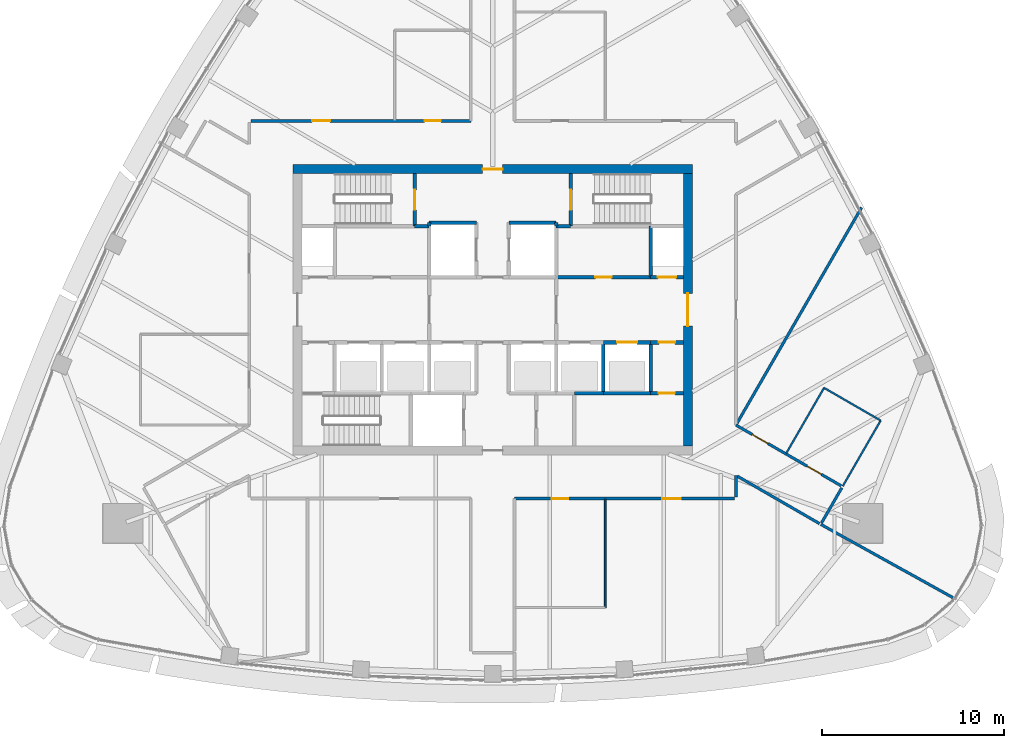
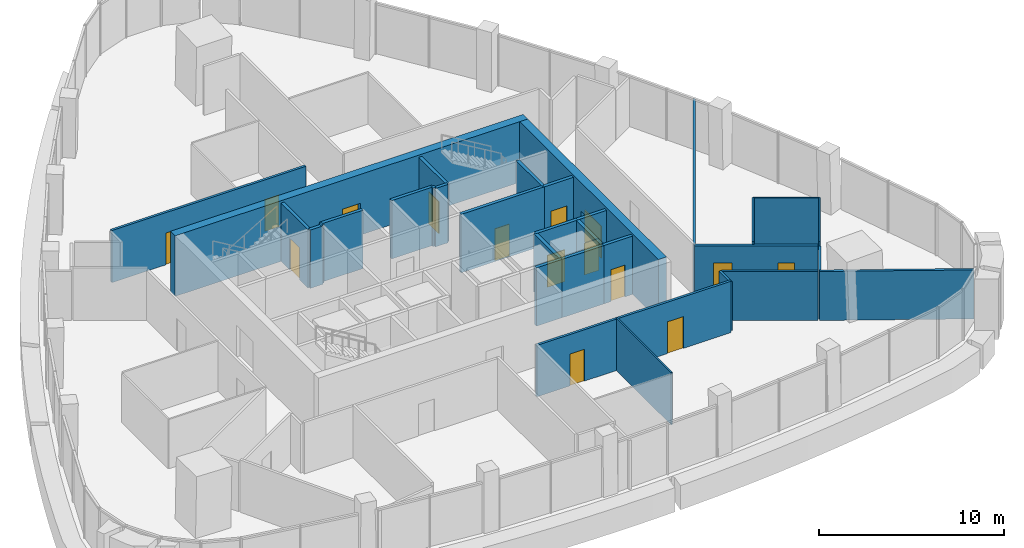
# One storey, part 10 of 15: 32 walls, 15 doors, 15 openings.
"""IFC4 building model written with IfcOpenShell, lengths in metres."""

from ifc_helpers import new_model, si_unit, direction, frame, frame_2d, origin, place, context, subcontext, project, spatial, rectangle, extrude, material, layer, layer_set, type_object, element, fill, save


model = new_model("IFC4")

# Units and contexts
model_context = context("Model", 3, precision=1e-05, world=origin(), true_north=direction((0.0, 1.0)))
body_context = subcontext(model_context, "Body", "Model", "MODEL_VIEW")
ifc_project = project(units=[si_unit("LENGTHUNIT", "METRE"), si_unit("AREAUNIT", "SQUARE_METRE"), si_unit("VOLUMEUNIT", "CUBIC_METRE"), si_unit("PLANEANGLEUNIT", "RADIAN"), si_unit("MASSUNIT", "GRAM", prefix="KILO")], contexts=[model_context])

# Site, building, storey
site_placement = place(None, origin())
site = spatial("IfcSite", under=ifc_project, at=site_placement, CompositionType="ELEMENT")
building_placement = place(site_placement, origin())
building = spatial("IfcBuilding", under=site, at=building_placement, Name="Sierra Prisma Convention Tower", CompositionType="ELEMENT")
storey_placement = place(building_placement, frame((0.0, 0.0, 299.0)))
storey = spatial("IfcBuildingStorey", under=building, at=storey_placement, Name="L68", CompositionType="ELEMENT", Elevation=299.0)

# Walls
ifc_material_1 = material(Name="Gypsum board partition", Category="gypsum")
ifc_layer_1 = layer(ifc_material_1, 0.10009765625)
ifc_layer_set_1 = layer_set([ifc_layer_1], Name="Bathroom partition 100")
wall_type_1 = type_object("IfcWallType", Name="Bathroom partition 100", PredefinedType="PARTITIONING", material=ifc_layer_set_1)
wall_1_placement = place(storey_placement, frame((6.199951171875, -10.429931640625, 0.0), z_axis=(0.0, 0.0, 1.0), x_axis=(0.0, -1.0, 0.0)))
element("IfcWall", 1, at=wall_1_placement, inside=storey, type_object=wall_type_1, Name="Partition L68 bath 6", PredefinedType="PARTITIONING", context=body_context, shape_type="SweptSolid", body=[
    extrude(rectangle(XDim=5.969970703125, YDim=0.10009765625, at=frame_2d((2.98486328125, 0.0))), origin(), (0.0, 0.0, 1.0), 3.449951171875),
])
wall_2_placement = place(storey_placement, frame((16.165283203125, -7.912841796875, 0.0), z_axis=(0.0, 0.0, 1.0), x_axis=(0.500036655653, 0.866004239599, 0.0)))
element("IfcWall", 2, at=wall_2_placement, inside=storey, type_object=wall_type_1, Name="Partition L68 bath 10", PredefinedType="PARTITIONING", context=body_context, shape_type="SweptSolid", body=[
    extrude(rectangle(XDim=4.170166015625, YDim=0.10009765625, at=frame_2d((2.0849609375, 0.0))), origin(), (0.0, 0.0, 1.0), 3.449951171875),
])
wall_3_placement = place(storey_placement, frame((18.25048828125, -4.301513671875, 0.0), z_axis=(0.0, 0.0, 1.0), x_axis=(0.866018442252, -0.500012057535, 0.0)))
element("IfcWall", 3, at=wall_3_placement, inside=storey, type_object=wall_type_1, Name="Partition L68 bath 11", PredefinedType="PARTITIONING", context=body_context, shape_type="SweptSolid", body=[
    extrude(rectangle(XDim=3.60009765625, YDim=0.10009765625, at=frame_2d((1.800048828125, 0.0))), origin(), (0.0, 0.0, 1.0), 3.443115234375),
])
wall_4_placement = place(storey_placement, frame((21.3681640625, -6.1015625, 0.0), z_axis=(0.0, 0.0, 1.0), x_axis=(-0.499992746786, -0.866029591389, 0.0)))
element("IfcWall", 4, at=wall_4_placement, inside=storey, type_object=wall_type_1, Name="Partition L68 bath 12", PredefinedType="PARTITIONING", context=body_context, shape_type="SweptSolid", body=[
    extrude(rectangle(XDim=4.169921875, YDim=0.10009765625, at=frame_2d((2.0849609375, 0.0))), origin(), (0.0, 0.0, 1.0), 3.449951171875),
])
ifc_material_2 = material(Name="Concrete C30/37", Category="concrete")
ifc_layer_2 = layer(ifc_material_2, 0.199951171875)
ifc_layer_set_2 = layer_set([ifc_layer_2], Name="Core wall RC 200 C30/37")
wall_type_2 = type_object("IfcWallType", Name="Core wall RC 200 C30/37", PredefinedType="SOLIDWALL", material=ifc_layer_set_2)
wall_5_placement = place(storey_placement, frame((-3.5, 4.60009765625, 0.0), z_axis=(0.0, 0.0, 1.0), x_axis=(-1.0, 0.0, 0.0)))
element("IfcWall", 5, at=wall_5_placement, inside=storey, type_object=wall_type_2, Name="Core wall L68 16", PredefinedType="SOLIDWALL", context=body_context, shape_type="SweptSolid", body=[
    extrude(rectangle(XDim=0.800048828125, YDim=0.199951171875, at=frame_2d((0.39990234375, 0.0))), origin(), (0.0, 0.0, 1.0), 3.85009765625),
])

# Wall, opening, door
wall_6_placement = place(storey_placement, frame((-4.300048828125, 4.60009765625, 0.0), z_axis=(0.0, 0.0, 1.0), x_axis=(0.0, 1.0, 0.0)))
wall_6 = element("IfcWall", 6, at=wall_6_placement, inside=storey, type_object=wall_type_2, Name="Core wall L68 17", PredefinedType="SOLIDWALL", context=body_context, shape_type="SweptSolid", body=[
    extrude(rectangle(XDim=2.89990234375, YDim=0.199951171875, at=frame_2d((1.449951171875, 0.0))), origin(), (0.0, 0.0, 1.0), 3.85009765625),
])
opening_1_placement = place(wall_6_placement, frame((0.89990234375, 0.0, 0.0)))
opening_1 = element("IfcOpeningElement", 7, at=opening_1_placement, cuts=wall_6, Name="Opening L68-D018", PredefinedType="OPENING", context=body_context, shape_type="SweptSolid", body=[
    extrude(rectangle(XDim=1.10009765625, YDim=2.10009765625, at=frame_2d((0.550048828125, 1.050048828125))), frame((0.0, 0.10009765625, 0.0), z_axis=(0.0, -1.0, 0.0), x_axis=(1.0, 0.0, 0.0)), (0.0, 0.0, 1.0), 0.199951171875),
])
ifc_material_3 = material(Name="Steel fire door leaf", Category="steel")
door_type_1 = type_object("IfcDoorType", Name="Door 1100x2100 FD90S", OperationType="SINGLE_SWING_LEFT", PredefinedType="DOOR", material=ifc_material_3)
door_1_placement = place(opening_1_placement, origin())
door_1 = element("IfcDoor", 8, at=door_1_placement, inside=storey, type_object=door_type_1, Name="Door L68 31", OperationType="SINGLE_SWING_LEFT", OverallHeight=2.10009765625, OverallWidth=1.10009765625, PredefinedType="DOOR", context=body_context, shape_type="SweptSolid", body=[
    extrude(rectangle(XDim=1.10009765625, YDim=2.10009765625, at=frame_2d((0.550048828125, 1.050048828125))), frame((0.0, 0.02490234375, 0.0), z_axis=(0.0, -1.0, 0.0), x_axis=(1.0, 0.0, 0.0)), (0.0, 0.0, 1.0), 0.050048828125),
])
fill(opening_1, door_1)

# Walls
wall_7_placement = place(storey_placement, frame((-0.89990234375, 4.800048828125, 0.0), z_axis=(0.0, 0.0, 1.0), x_axis=(-1.0, 0.0, 0.0)))
element("IfcWall", 9, at=wall_7_placement, inside=storey, type_object=wall_type_2, Name="Core wall L68 25", PredefinedType="SOLIDWALL", context=body_context, shape_type="SweptSolid", body=[
    extrude(rectangle(XDim=2.60009765625, YDim=0.199951171875, at=frame_2d((1.300048828125, 0.0))), origin(), (0.0, 0.0, 1.0), 3.85009765625),
])
for number, where, z_axis, x_axis, name in (
    (10, (-3.5, 4.800048828125, 0.0), (0.0, 0.0, 1.0), (0.0, -1.0, 0.0), "Core wall L68 26"),
    (11, (3.5, 4.60009765625, 0.0), (0.0, 0.0, 1.0), (0.0, 1.0, 0.0), "Core wall L68 36"),
):
    element("IfcWall", number, at=place(storey_placement, frame(where, z_axis=z_axis, x_axis=x_axis)), inside=storey, type_object=wall_type_2, Name=name, PredefinedType="SOLIDWALL", context=body_context, shape_type="SweptSolid", body=[
        extrude(rectangle(XDim=0.199951171875, YDim=0.199951171875, at=frame_2d((0.10009765625, 0.0))), origin(), (0.0, 0.0, 1.0), 3.85009765625),
    ])
wall_8_placement = place(storey_placement, frame((3.5, 4.800048828125, 0.0), z_axis=(0.0, 0.0, 1.0), x_axis=(-1.0, 0.0, 0.0)))
element("IfcWall", 12, at=wall_8_placement, inside=storey, type_object=wall_type_2, Name="Core wall L68 37", PredefinedType="SOLIDWALL", context=body_context, shape_type="SweptSolid", body=[
    extrude(rectangle(XDim=2.60009765625, YDim=0.199951171875, at=frame_2d((1.300048828125, 0.0))), origin(), (0.0, 0.0, 1.0), 3.85009765625),
])

# Wall, opening, door
wall_9_placement = place(storey_placement, frame((3.5, 1.800048828125, 0.0), z_axis=(0.0, 0.0, 1.0), x_axis=(1.0, 0.0, 0.0)))
wall_9 = element("IfcWall", 13, at=wall_9_placement, inside=storey, type_object=wall_type_2, Name="Core wall L68 45", PredefinedType="SOLIDWALL", context=body_context, shape_type="SweptSolid", body=[
    extrude(rectangle(XDim=5.199951171875, YDim=0.199951171875, at=frame_2d((2.60009765625, 0.0))), origin(), (0.0, 0.0, 1.0), 3.85009765625),
])
opening_2_placement = place(wall_9_placement, frame((2.14990234375, 0.0, 0.0)))
opening_2 = element("IfcOpeningElement", 14, at=opening_2_placement, cuts=wall_9, Name="Opening L68-D020", PredefinedType="OPENING", context=body_context, shape_type="SweptSolid", body=[
    extrude(rectangle(XDim=0.89990234375, YDim=2.10009765625, at=frame_2d((0.449951171875, 1.050048828125))), frame((0.0, 0.10009765625, 0.0), z_axis=(0.0, -1.0, 0.0), x_axis=(1.0, 0.0, 0.0)), (0.0, 0.0, 1.0), 0.199951171875),
])
ifc_material_4 = material(Name="Steel fire door leaf", Category="steel")
door_type_2 = type_object("IfcDoorType", Name="Door 900x2100 FD30S", OperationType="SINGLE_SWING_LEFT", PredefinedType="DOOR", material=ifc_material_4)
door_2_placement = place(opening_2_placement, origin())
door_2 = element("IfcDoor", 15, at=door_2_placement, inside=storey, type_object=door_type_2, Name="Door L68 33", OperationType="SINGLE_SWING_RIGHT", OverallHeight=2.10009765625, OverallWidth=0.89990234375, PredefinedType="DOOR", context=body_context, shape_type="SweptSolid", body=[
    extrude(rectangle(XDim=0.89990234375, YDim=2.10009765625, at=frame_2d((0.449951171875, 1.050048828125))), frame((0.0, 0.02490234375, 0.0), z_axis=(0.0, -1.0, 0.0), x_axis=(1.0, 0.0, 0.0)), (0.0, 0.0, 1.0), 0.050048828125),
])
fill(opening_2, door_2)

# Wall
wall_10_placement = place(storey_placement, frame((4.300048828125, 4.60009765625, 0.0), z_axis=(0.0, 0.0, 1.0), x_axis=(-1.0, 0.0, 0.0)))
element("IfcWall", 16, at=wall_10_placement, inside=storey, type_object=wall_type_2, Name="Core wall L68 47", PredefinedType="SOLIDWALL", context=body_context, shape_type="SweptSolid", body=[
    extrude(rectangle(XDim=0.800048828125, YDim=0.199951171875, at=frame_2d((0.39990234375, 0.0))), origin(), (0.0, 0.0, 1.0), 3.85009765625),
])

# Wall, opening, door
wall_11_placement = place(storey_placement, frame((4.300048828125, 7.5, 0.0), z_axis=(0.0, 0.0, 1.0), x_axis=(0.0, -1.0, 0.0)))
wall_11 = element("IfcWall", 17, at=wall_11_placement, inside=storey, type_object=wall_type_2, Name="Core wall L68 49", PredefinedType="SOLIDWALL", context=body_context, shape_type="SweptSolid", body=[
    extrude(rectangle(XDim=2.89990234375, YDim=0.199951171875, at=frame_2d((1.449951171875, 0.0))), origin(), (0.0, 0.0, 1.0), 3.85009765625),
])
opening_3_placement = place(wall_11_placement, frame((0.89990234375, 0.0, 0.0)))
opening_3 = element("IfcOpeningElement", 18, at=opening_3_placement, cuts=wall_11, Name="Opening L68-D019", PredefinedType="OPENING", context=body_context, shape_type="SweptSolid", body=[
    extrude(rectangle(XDim=1.10009765625, YDim=2.10009765625, at=frame_2d((0.550048828125, 1.050048828125))), frame((0.0, 0.10009765625, 0.0), z_axis=(0.0, -1.0, 0.0), x_axis=(1.0, 0.0, 0.0)), (0.0, 0.0, 1.0), 0.199951171875),
])
door_3_placement = place(opening_3_placement, origin())
door_3 = element("IfcDoor", 19, at=door_3_placement, inside=storey, type_object=door_type_1, Name="Door L68 32", OperationType="SINGLE_SWING_RIGHT", OverallHeight=2.10009765625, OverallWidth=1.10009765625, PredefinedType="DOOR", context=body_context, shape_type="SweptSolid", body=[
    extrude(rectangle(XDim=1.10009765625, YDim=2.10009765625, at=frame_2d((0.550048828125, 1.050048828125))), frame((0.0, 0.02490234375, 0.0), z_axis=(0.0, -1.0, 0.0), x_axis=(1.0, 0.0, 0.0)), (0.0, 0.0, 1.0), 0.050048828125),
])
fill(opening_3, door_3)

# Walls
wall_12_placement = place(storey_placement, frame((6.10009765625, -4.60009765625, 0.0), z_axis=(0.0, 0.0, 1.0), x_axis=(-1.0, 0.0, 0.0)))
element("IfcWall", 20, at=wall_12_placement, inside=storey, type_object=wall_type_2, Name="Core wall L68 51", PredefinedType="SOLIDWALL", context=body_context, shape_type="SweptSolid", body=[
    extrude(rectangle(XDim=1.60009765625, YDim=0.199951171875, at=frame_2d((0.800048828125, 0.0))), origin(), (0.0, 0.0, 1.0), 3.85009765625),
])
wall_13_placement = place(storey_placement, frame((8.699951171875, -4.60009765625, 0.0), z_axis=(0.0, 0.0, 1.0), x_axis=(-1.0, 0.0, 0.0)))
element("IfcWall", 21, at=wall_13_placement, inside=storey, type_object=wall_type_2, Name="Core wall L68 52", PredefinedType="SOLIDWALL", context=body_context, shape_type="SweptSolid", body=[
    extrude(rectangle(XDim=2.599853515625, YDim=0.199951171875, at=frame_2d((1.2998046875, 0.0))), origin(), (0.0, 0.0, 1.0), 3.85009765625),
])
wall_14_placement = place(storey_placement, frame((6.10009765625, -4.60009765625, 0.0), z_axis=(0.0, 0.0, 1.0), x_axis=(0.0, 1.0, 0.0)))
element("IfcWall", 22, at=wall_14_placement, inside=storey, type_object=wall_type_2, Name="Core wall L68 53", PredefinedType="SOLIDWALL", context=body_context, shape_type="SweptSolid", body=[
    extrude(rectangle(XDim=2.800048828125, YDim=0.199951171875, at=frame_2d((1.39990234375, 0.0))), origin(), (0.0, 0.0, 1.0), 3.85009765625),
])

# Wall, opening, door
wall_15_placement = place(storey_placement, frame((6.10009765625, -1.800048828125, 0.0), z_axis=(0.0, 0.0, 1.0), x_axis=(1.0, 0.0, 0.0)))
wall_15 = element("IfcWall", 23, at=wall_15_placement, inside=storey, type_object=wall_type_2, Name="Core wall L68 54", PredefinedType="SOLIDWALL", context=body_context, shape_type="SweptSolid", body=[
    extrude(rectangle(XDim=2.599853515625, YDim=0.199951171875, at=frame_2d((1.2998046875, 0.0))), origin(), (0.0, 0.0, 1.0), 3.85009765625),
])
opening_4_placement = place(wall_15_placement, frame((0.75, 0.0, 0.0)))
opening_4 = element("IfcOpeningElement", 24, at=opening_4_placement, cuts=wall_15, Name="Opening L68-D006", PredefinedType="OPENING", context=body_context, shape_type="SweptSolid", body=[
    extrude(rectangle(XDim=1.10009765625, YDim=2.10009765625, at=frame_2d((0.550048828125, 1.050048828125))), frame((0.0, 0.10009765625, 0.0), z_axis=(0.0, -1.0, 0.0), x_axis=(1.0, 0.0, 0.0)), (0.0, 0.0, 1.0), 0.199951171875),
])
ifc_material_5 = material(Name="Steel fire door leaf", Category="steel")
door_type_3 = type_object("IfcDoorType", Name="Door 1100x2100 EI 90 sliding lift landing", OperationType="SLIDING_TO_LEFT", PredefinedType="DOOR", material=ifc_material_5)
door_4_placement = place(opening_4_placement, origin())
door_4 = element("IfcDoor", 25, at=door_4_placement, inside=storey, type_object=door_type_3, Name="Door L68 19", OperationType="SLIDING_TO_LEFT", OverallHeight=2.10009765625, OverallWidth=1.10009765625, PredefinedType="DOOR", context=body_context, shape_type="SweptSolid", body=[
    extrude(rectangle(XDim=1.10009765625, YDim=2.10009765625, at=frame_2d((0.550048828125, 1.050048828125))), frame((0.0, 0.02490234375, 0.0), z_axis=(0.0, -1.0, 0.0), x_axis=(1.0, 0.0, 0.0)), (0.0, 0.0, 1.0), 0.050048828125),
])
fill(opening_4, door_4)

wall_16_placement = place(storey_placement, frame((10.5, -4.60009765625, 0.0), z_axis=(0.0, 0.0, 1.0), x_axis=(-1.0, 0.0, 0.0)))
wall_16 = element("IfcWall", 26, at=wall_16_placement, inside=storey, type_object=wall_type_2, Name="Core wall L68 55", PredefinedType="SOLIDWALL", context=body_context, shape_type="SweptSolid", body=[
    extrude(rectangle(XDim=1.800048828125, YDim=0.199951171875, at=frame_2d((0.89990234375, 0.0))), origin(), (0.0, 0.0, 1.0), 3.85009765625),
])
opening_5_placement = place(wall_16_placement, frame((0.4599609375, 0.0, 0.0)))
opening_5 = element("IfcOpeningElement", 27, at=opening_5_placement, cuts=wall_16, Name="Opening L68-D022", PredefinedType="OPENING", context=body_context, shape_type="SweptSolid", body=[
    extrude(rectangle(XDim=0.89990234375, YDim=2.10009765625, at=frame_2d((0.449951171875, 1.050048828125))), frame((0.0, 0.10009765625, 0.0), z_axis=(0.0, -1.0, 0.0), x_axis=(1.0, 0.0, 0.0)), (0.0, 0.0, 1.0), 0.199951171875),
])
door_5_placement = place(opening_5_placement, origin())
door_5 = element("IfcDoor", 28, at=door_5_placement, inside=storey, type_object=door_type_2, Name="Door L68 35", OperationType="SINGLE_SWING_RIGHT", OverallHeight=2.10009765625, OverallWidth=0.89990234375, PredefinedType="DOOR", context=body_context, shape_type="SweptSolid", body=[
    extrude(rectangle(XDim=0.89990234375, YDim=2.10009765625, at=frame_2d((0.449951171875, 1.050048828125))), frame((0.0, 0.02490234375, 0.0), z_axis=(0.0, -1.0, 0.0), x_axis=(1.0, 0.0, 0.0)), (0.0, 0.0, 1.0), 0.050048828125),
])
fill(opening_5, door_5)

# Wall
wall_17_placement = place(storey_placement, frame((8.699951171875, -1.800048828125, 0.0), z_axis=(0.0, 0.0, 1.0), x_axis=(0.0, -1.0, 0.0)))
element("IfcWall", 29, at=wall_17_placement, inside=storey, type_object=wall_type_2, Name="Core wall L68 56", PredefinedType="SOLIDWALL", context=body_context, shape_type="SweptSolid", body=[
    extrude(rectangle(XDim=2.800048828125, YDim=0.199951171875, at=frame_2d((1.39990234375, 0.0))), origin(), (0.0, 0.0, 1.0), 3.85009765625),
])

# Wall, opening, door
wall_18_placement = place(storey_placement, frame((8.699951171875, -1.800048828125, 0.0), z_axis=(0.0, 0.0, 1.0), x_axis=(1.0, 0.0, 0.0)))
wall_18 = element("IfcWall", 30, at=wall_18_placement, inside=storey, type_object=wall_type_2, Name="Core wall L68 57", PredefinedType="SOLIDWALL", context=body_context, shape_type="SweptSolid", body=[
    extrude(rectangle(XDim=1.800048828125, YDim=0.199951171875, at=frame_2d((0.89990234375, 0.0))), origin(), (0.0, 0.0, 1.0), 3.85009765625),
])
opening_6_placement = place(wall_18_placement, frame((0.449951171875, 0.0, 0.0)))
opening_6 = element("IfcOpeningElement", 31, at=opening_6_placement, cuts=wall_18, Name="Opening L68-D023", PredefinedType="OPENING", context=body_context, shape_type="SweptSolid", body=[
    extrude(rectangle(XDim=0.89990234375, YDim=2.10009765625, at=frame_2d((0.449951171875, 1.050048828125))), frame((0.0, 0.10009765625, 0.0), z_axis=(0.0, -1.0, 0.0), x_axis=(1.0, 0.0, 0.0)), (0.0, 0.0, 1.0), 0.199951171875),
])
door_6_placement = place(opening_6_placement, origin())
door_6 = element("IfcDoor", 32, at=door_6_placement, inside=storey, type_object=door_type_2, Name="Door L68 36", OperationType="SINGLE_SWING_LEFT", OverallHeight=2.10009765625, OverallWidth=0.89990234375, PredefinedType="DOOR", context=body_context, shape_type="SweptSolid", body=[
    extrude(rectangle(XDim=0.89990234375, YDim=2.10009765625, at=frame_2d((0.449951171875, 1.050048828125))), frame((0.0, 0.02490234375, 0.0), z_axis=(0.0, -1.0, 0.0), x_axis=(1.0, 0.0, 0.0)), (0.0, 0.0, 1.0), 0.050048828125),
])
fill(opening_6, door_6)

wall_19_placement = place(storey_placement, frame((10.5, 1.800048828125, 0.0), z_axis=(0.0, 0.0, 1.0), x_axis=(-1.0, 0.0, 0.0)))
wall_19 = element("IfcWall", 33, at=wall_19_placement, inside=storey, type_object=wall_type_2, Name="Core wall L68 58", PredefinedType="SOLIDWALL", context=body_context, shape_type="SweptSolid", body=[
    extrude(rectangle(XDim=1.800048828125, YDim=0.199951171875, at=frame_2d((0.89990234375, 0.0))), origin(), (0.0, 0.0, 1.0), 3.85009765625),
])
opening_7_placement = place(wall_19_placement, frame((0.39990234375, 0.0, 0.0)))
opening_7 = element("IfcOpeningElement", 34, at=opening_7_placement, cuts=wall_19, Name="Opening L68-D016", PredefinedType="OPENING", context=body_context, shape_type="SweptSolid", body=[
    extrude(rectangle(XDim=1.0, YDim=2.10009765625, at=frame_2d((0.5, 1.050048828125))), frame((0.0, 0.10009765625, 0.0), z_axis=(0.0, -1.0, 0.0), x_axis=(1.0, 0.0, 0.0)), (0.0, 0.0, 1.0), 0.199951171875),
])
ifc_material_6 = material(Name="Steel fire door leaf", Category="steel")
door_type_4 = type_object("IfcDoorType", Name="Door 1000x2100 FD60S", OperationType="SINGLE_SWING_LEFT", PredefinedType="DOOR", material=ifc_material_6)
door_7_placement = place(opening_7_placement, origin())
door_7 = element("IfcDoor", 35, at=door_7_placement, inside=storey, type_object=door_type_4, Name="Door L68 29", OperationType="SINGLE_SWING_RIGHT", OverallHeight=2.10009765625, OverallWidth=1.0, PredefinedType="DOOR", context=body_context, shape_type="SweptSolid", body=[
    extrude(rectangle(XDim=1.0, YDim=2.10009765625, at=frame_2d((0.5, 1.050048828125))), frame((0.0, 0.02490234375, 0.0), z_axis=(0.0, -1.0, 0.0), x_axis=(1.0, 0.0, 0.0)), (0.0, 0.0, 1.0), 0.050048828125),
])
fill(opening_7, door_7)

# Wall
wall_20_placement = place(storey_placement, frame((8.699951171875, 1.800048828125, 0.0), z_axis=(0.0, 0.0, 1.0), x_axis=(0.0, 1.0, 0.0)))
element("IfcWall", 36, at=wall_20_placement, inside=storey, type_object=wall_type_2, Name="Core wall L68 59", PredefinedType="SOLIDWALL", context=body_context, shape_type="SweptSolid", body=[
    extrude(rectangle(XDim=2.800048828125, YDim=0.199951171875, at=frame_2d((1.39990234375, 0.0))), origin(), (0.0, 0.0, 1.0), 3.85009765625),
])

# Wall, opening, door
ifc_material_7 = material(Name="Concrete C50/60", Category="concrete")
ifc_layer_3 = layer(ifc_material_7, 0.5)
ifc_layer_set_3 = layer_set([ifc_layer_3], Name="Core wall RC 500 C50/60")
wall_type_3 = type_object("IfcWallType", Name="Core wall RC 500 C50/60", PredefinedType="SHEAR", material=ifc_layer_set_3)
wall_21_placement = place(storey_placement, frame((-11.0, 7.75, 0.0), z_axis=(0.0, 0.0, 1.0), x_axis=(1.0, 0.0, 0.0)))
wall_21 = element("IfcWall", 37, at=wall_21_placement, inside=storey, type_object=wall_type_3, Name="Core wall N L68", PredefinedType="SHEAR", context=body_context, shape_type="SweptSolid", body=[
    extrude(rectangle(XDim=22.0, YDim=0.5, at=frame_2d((11.0, 0.0))), origin(), (0.0, 0.0, 1.0), 4.0),
])
opening_8_placement = place(wall_21_placement, frame((10.449951171875, 0.0, 0.0)))
opening_8 = element("IfcOpeningElement", 38, at=opening_8_placement, cuts=wall_21, Name="Opening L68-D039", PredefinedType="OPENING", context=body_context, shape_type="SweptSolid", body=[
    extrude(rectangle(XDim=1.10009765625, YDim=2.10009765625, at=frame_2d((0.550048828125, 1.050048828125))), frame((0.0, 0.25, 0.0), z_axis=(0.0, -1.0, 0.0), x_axis=(1.0, 0.0, 0.0)), (0.0, 0.0, 1.0), 0.5),
])
ifc_material_8 = material(Name="Steel fire door leaf", Category="steel")
door_type_5 = type_object("IfcDoorType", Name="Door 1100x2100 FD60S", OperationType="SINGLE_SWING_LEFT", PredefinedType="DOOR", material=ifc_material_8)
door_8_placement = place(opening_8_placement, origin())
door_8 = element("IfcDoor", 39, at=door_8_placement, inside=storey, type_object=door_type_5, Name="Door L68 40", OperationType="SINGLE_SWING_LEFT", OverallHeight=2.10009765625, OverallWidth=1.10009765625, PredefinedType="DOOR", context=body_context, shape_type="SweptSolid", body=[
    extrude(rectangle(XDim=1.10009765625, YDim=2.10009765625, at=frame_2d((0.550048828125, 1.050048828125))), frame((0.0, 0.02490234375, 0.0), z_axis=(0.0, -1.0, 0.0), x_axis=(1.0, 0.0, 0.0)), (0.0, 0.0, 1.0), 0.050048828125),
])
fill(opening_8, door_8)

wall_22_placement = place(storey_placement, frame((10.75, -7.5, 0.0), z_axis=(0.0, 0.0, 1.0), x_axis=(0.0, 1.0, 0.0)))
wall_22 = element("IfcWall", 40, at=wall_22_placement, inside=storey, type_object=wall_type_3, Name="Core wall E L68", PredefinedType="SHEAR", context=body_context, shape_type="SweptSolid", body=[
    extrude(rectangle(XDim=15.0, YDim=0.5, at=frame_2d((7.5, 0.0))), origin(), (0.0, 0.0, 1.0), 4.0),
])
opening_9_placement = place(wall_22_placement, frame((6.60009765625, 0.0, 0.0)))
opening_9 = element("IfcOpeningElement", 41, at=opening_9_placement, cuts=wall_22, Name="Opening L68-D038", PredefinedType="OPENING", context=body_context, shape_type="SweptSolid", body=[
    extrude(rectangle(XDim=1.800048828125, YDim=2.10009765625, at=frame_2d((0.89990234375, 1.050048828125))), frame((0.0, 0.25, 0.0), z_axis=(0.0, -1.0, 0.0), x_axis=(1.0, 0.0, 0.0)), (0.0, 0.0, 1.0), 0.5),
])
ifc_material_9 = material(Name="Steel fire door leaf", Category="steel")
door_type_6 = type_object("IfcDoorType", Name="Door 1800x2100 FD60S", OperationType="DOUBLE_DOOR_SINGLE_SWING", PredefinedType="DOOR", material=ifc_material_9)
door_9_placement = place(opening_9_placement, origin())
door_9 = element("IfcDoor", 42, at=door_9_placement, inside=storey, type_object=door_type_6, Name="Door L68 39", OperationType="DOUBLE_DOOR_SINGLE_SWING", OverallHeight=2.10009765625, OverallWidth=1.800048828125, PredefinedType="DOOR", context=body_context, shape_type="SweptSolid", body=[
    extrude(rectangle(XDim=1.800048828125, YDim=2.10009765625, at=frame_2d((0.89990234375, 1.050048828125))), frame((0.0, 0.02490234375, 0.0), z_axis=(0.0, -1.0, 0.0), x_axis=(1.0, 0.0, 0.0)), (0.0, 0.0, 1.0), 0.050048828125),
])
fill(opening_9, door_9)

# Wall, openings, doors
ifc_material_10 = material(Name="Gypsum board partition", Category="gypsum")
ifc_layer_4 = layer(ifc_material_10, 0.14990234375)
ifc_layer_set_4 = layer_set([ifc_layer_4], Name="Corridor wall 150 gypsum EI 60")
wall_type_4 = type_object("IfcWallType", Name="Corridor wall 150 gypsum EI 60", PredefinedType="PARTITIONING", material=ifc_layer_set_4)
wall_23_placement = place(storey_placement, frame((-1.199951171875, 10.39990234375, 0.0), z_axis=(0.0, 0.0, 1.0), x_axis=(-1.0, 0.0, 0.0)))
wall_23 = element("IfcWall", 43, at=wall_23_placement, inside=storey, type_object=wall_type_4, Name="Partition L68 corr 13", PredefinedType="PARTITIONING", context=body_context, shape_type="SweptSolid", body=[
    extrude(rectangle(XDim=12.1201171875, YDim=0.14990234375, at=frame_2d((6.06005859375, 0.0))), origin(), (0.0, 0.0, 1.0), 3.443115234375),
])
opening_10_placement = place(wall_23_placement, frame((1.64990234375, 0.0, 0.0)))
opening_10 = element("IfcOpeningElement", 44, at=opening_10_placement, cuts=wall_23, Name="Opening L68-D028", PredefinedType="OPENING", context=body_context, shape_type="SweptSolid", body=[
    extrude(rectangle(XDim=0.89990234375, YDim=2.10009765625, at=frame_2d((0.449951171875, 1.050048828125))), frame((0.0, 0.074951171875, 0.0), z_axis=(0.0, -1.0, 0.0), x_axis=(1.0, 0.0, 0.0)), (0.0, 0.0, 1.0), 0.14990234375),
])
opening_11_placement = place(wall_23_placement, frame((7.75, 0.0, 0.0)))
opening_11 = element("IfcOpeningElement", 45, at=opening_11_placement, cuts=wall_23, Name="Opening L68-D029", PredefinedType="OPENING", context=body_context, shape_type="SweptSolid", body=[
    extrude(rectangle(XDim=1.0, YDim=2.10009765625, at=frame_2d((0.5, 1.050048828125))), frame((0.0, 0.074951171875, 0.0), z_axis=(0.0, -1.0, 0.0), x_axis=(1.0, 0.0, 0.0)), (0.0, 0.0, 1.0), 0.14990234375),
])
ifc_material_11 = material(Name="Steel fire door leaf", Category="steel")
door_type_7 = type_object("IfcDoorType", Name="Door 1000x2100 FD30S", OperationType="SINGLE_SWING_LEFT", PredefinedType="DOOR", material=ifc_material_11)
door_10_placement = place(opening_11_placement, origin())
door_10 = element("IfcDoor", 46, at=door_10_placement, inside=storey, type_object=door_type_7, Name="Door L68 5", OperationType="SINGLE_SWING_RIGHT", OverallHeight=2.10009765625, OverallWidth=1.0, PredefinedType="DOOR", context=body_context, shape_type="SweptSolid", body=[
    extrude(rectangle(XDim=1.0, YDim=2.10009765625, at=frame_2d((0.5, 1.050048828125))), frame((0.0, 0.02490234375, 0.0), z_axis=(0.0, -1.0, 0.0), x_axis=(1.0, 0.0, 0.0)), (0.0, 0.0, 1.0), 0.050048828125),
])
fill(opening_11, door_10)
door_11_placement = place(opening_10_placement, origin())
door_11 = element("IfcDoor", 47, at=door_11_placement, inside=storey, type_object=door_type_2, Name="Door L68 4", OperationType="SINGLE_SWING_LEFT", OverallHeight=2.10009765625, OverallWidth=0.89990234375, PredefinedType="DOOR", context=body_context, shape_type="SweptSolid", body=[
    extrude(rectangle(XDim=0.89990234375, YDim=2.10009765625, at=frame_2d((0.449951171875, 1.050048828125))), frame((0.0, 0.02490234375, 0.0), z_axis=(0.0, -1.0, 0.0), x_axis=(1.0, 0.0, 0.0)), (0.0, 0.0, 1.0), 0.050048828125),
])
fill(opening_10, door_11)

wall_24_placement = place(storey_placement, frame((1.199951171875, -10.39990234375, 0.0), z_axis=(0.0, 0.0, 1.0), x_axis=(1.0, 0.0, 0.0)))
wall_24 = element("IfcWall", 48, at=wall_24_placement, inside=storey, type_object=wall_type_4, Name="Partition L68 corr 17", PredefinedType="PARTITIONING", context=body_context, shape_type="SweptSolid", body=[
    extrude(rectangle(XDim=12.1201171875, YDim=0.14990234375, at=frame_2d((6.06005859375, 0.0))), origin(), (0.0, 0.0, 1.0), 3.39306640625),
])
opening_12_placement = place(wall_24_placement, frame((2.050048828125, 0.0, 0.0)))
opening_12 = element("IfcOpeningElement", 49, at=opening_12_placement, cuts=wall_24, Name="Opening L68-D034", PredefinedType="OPENING", context=body_context, shape_type="SweptSolid", body=[
    extrude(rectangle(XDim=0.89990234375, YDim=2.10009765625, at=frame_2d((0.449951171875, 1.050048828125))), frame((0.0, 0.074951171875, 0.0), z_axis=(0.0, -1.0, 0.0), x_axis=(1.0, 0.0, 0.0)), (0.0, 0.0, 1.0), 0.14990234375),
])
opening_13_placement = place(wall_24_placement, frame((8.14990234375, 0.0, 0.0)))
opening_13 = element("IfcOpeningElement", 50, at=opening_13_placement, cuts=wall_24, Name="Opening L68-D035", PredefinedType="OPENING", context=body_context, shape_type="SweptSolid", body=[
    extrude(rectangle(XDim=1.0, YDim=2.10009765625, at=frame_2d((0.5, 1.050048828125))), frame((0.0, 0.074951171875, 0.0), z_axis=(0.0, -1.0, 0.0), x_axis=(1.0, 0.0, 0.0)), (0.0, 0.0, 1.0), 0.14990234375),
])
door_12_placement = place(opening_13_placement, origin())
door_12 = element("IfcDoor", 51, at=door_12_placement, inside=storey, type_object=door_type_7, Name="Door L68 11", OperationType="SINGLE_SWING_LEFT", OverallHeight=2.10009765625, OverallWidth=1.0, PredefinedType="DOOR", context=body_context, shape_type="SweptSolid", body=[
    extrude(rectangle(XDim=1.0, YDim=2.10009765625, at=frame_2d((0.5, 1.050048828125))), frame((0.0, 0.02490234375, 0.0), z_axis=(0.0, -1.0, 0.0), x_axis=(1.0, 0.0, 0.0)), (0.0, 0.0, 1.0), 0.050048828125),
])
fill(opening_13, door_12)
door_13_placement = place(opening_12_placement, origin())
door_13 = element("IfcDoor", 52, at=door_13_placement, inside=storey, type_object=door_type_2, Name="Door L68 10", OperationType="SINGLE_SWING_LEFT", OverallHeight=2.10009765625, OverallWidth=0.89990234375, PredefinedType="DOOR", context=body_context, shape_type="SweptSolid", body=[
    extrude(rectangle(XDim=0.89990234375, YDim=2.10009765625, at=frame_2d((0.449951171875, 1.050048828125))), frame((0.0, 0.02490234375, 0.0), z_axis=(0.0, -1.0, 0.0), x_axis=(1.0, 0.0, 0.0)), (0.0, 0.0, 1.0), 0.050048828125),
])
fill(opening_12, door_13)

# Walls
wall_25_placement = place(storey_placement, frame((13.39990234375, -10.320068359375, 0.0), z_axis=(0.0, 0.0, 1.0), x_axis=(0.0, 1.0, 0.0)))
element("IfcWall", 53, at=wall_25_placement, inside=storey, type_object=wall_type_4, Name="Partition L68 corr 20", PredefinedType="PARTITIONING", context=body_context, shape_type="SweptSolid", body=[
    extrude(rectangle(XDim=1.197998046875, YDim=0.14990234375, at=frame_2d((0.59912109375, 0.0))), origin(), (0.0, 0.0, 1.0), 3.23291015625),
])
wall_26_placement = place(storey_placement, frame((13.479248046875, -9.16796875, 0.0), z_axis=(0.0, 0.0, 1.0), x_axis=(0.866043800775, -0.499968134123, 0.0)))
element("IfcWall", 54, at=wall_26_placement, inside=storey, type_object=wall_type_4, Name="Partition L68 corr 21", PredefinedType="PARTITIONING", context=body_context, shape_type="SweptSolid", body=[
    extrude(rectangle(XDim=5.218505859375, YDim=0.14990234375, at=frame_2d((2.609375, 0.0))), origin(), (0.0, 0.0, 1.0), 3.23291015625),
])

# Wall, openings, doors
wall_27_placement = place(storey_placement, frame((19.19873046875, -9.69873046875, 0.0), z_axis=(0.0, 0.0, 1.0), x_axis=(-0.866028933908, 0.499993885596, 0.0)))
wall_27 = element("IfcWall", 55, at=wall_27_placement, inside=storey, type_object=wall_type_4, Name="Partition L68 corr 24", PredefinedType="PARTITIONING", context=body_context, shape_type="SweptSolid", body=[
    extrude(rectangle(XDim=6.69580078125, YDim=0.14990234375, at=frame_2d((3.347900390625, 0.0))), origin(), (0.0, 0.0, 1.0), 3.2470703125),
])
opening_14_placement = place(wall_27_placement, frame((1.27001953125, 0.0, 0.0)))
opening_14 = element("IfcOpeningElement", 56, at=opening_14_placement, cuts=wall_27, Name="Opening L68-D036", PredefinedType="OPENING", context=body_context, shape_type="SweptSolid", body=[
    extrude(rectangle(XDim=0.89990234375, YDim=2.10009765625, at=frame_2d((0.449951171875, 1.050048828125))), frame((0.0, 0.074951171875, 0.0), z_axis=(0.0, -1.0, 0.0), x_axis=(1.0, 0.0, 0.0)), (0.0, 0.0, 1.0), 0.14990234375),
])
opening_15_placement = place(wall_27_placement, frame((4.657958984375, 0.0, 0.0)))
opening_15 = element("IfcOpeningElement", 57, at=opening_15_placement, cuts=wall_27, Name="Opening L68-D037", PredefinedType="OPENING", context=body_context, shape_type="SweptSolid", body=[
    extrude(rectangle(XDim=1.0, YDim=2.10009765625, at=frame_2d((0.5, 1.050048828125))), frame((0.0, 0.074951171875, 0.0), z_axis=(0.0, -1.0, 0.0), x_axis=(1.0, 0.0, 0.0)), (0.0, 0.0, 1.0), 0.14990234375),
])
door_14_placement = place(opening_15_placement, origin())
door_14 = element("IfcDoor", 58, at=door_14_placement, inside=storey, type_object=door_type_7, Name="Door L68 13", OperationType="SINGLE_SWING_RIGHT", OverallHeight=2.10009765625, OverallWidth=1.0, PredefinedType="DOOR", context=body_context, shape_type="SweptSolid", body=[
    extrude(rectangle(XDim=1.0, YDim=2.10009765625, at=frame_2d((0.5, 1.050048828125))), frame((0.0, 0.02490234375, 0.0), z_axis=(0.0, -1.0, 0.0), x_axis=(1.0, 0.0, 0.0)), (0.0, 0.0, 1.0), 0.050048828125),
])
fill(opening_15, door_14)
door_15_placement = place(opening_14_placement, origin())
door_15 = element("IfcDoor", 59, at=door_15_placement, inside=storey, type_object=door_type_2, Name="Door L68 12", OperationType="SINGLE_SWING_LEFT", OverallHeight=2.10009765625, OverallWidth=0.89990234375, PredefinedType="DOOR", context=body_context, shape_type="SweptSolid", body=[
    extrude(rectangle(XDim=0.89990234375, YDim=2.10009765625, at=frame_2d((0.449951171875, 1.050048828125))), frame((0.0, 0.02490234375, 0.0), z_axis=(0.0, -1.0, 0.0), x_axis=(1.0, 0.0, 0.0)), (0.0, 0.0, 1.0), 0.050048828125),
])
fill(opening_14, door_15)

# Walls
wall_28_placement = place(storey_placement, frame((18.108154296875, -11.748046875, 0.0), z_axis=(0.0, 0.0, 1.0), x_axis=(0.49994888933, 0.866054910533, 0.0)))
element("IfcWall", 60, at=wall_28_placement, inside=storey, type_object=wall_type_4, Name="Partition L68 corr 28", PredefinedType="PARTITIONING", context=body_context, shape_type="SweptSolid", body=[
    extrude(rectangle(XDim=2.239990234375, YDim=0.14990234375, at=frame_2d((1.1201171875, 0.0))), origin(), (0.0, 0.0, 1.0), 3.23291015625),
])
ifc_material_12 = material(Name="Gypsum board partition", Category="gypsum")
ifc_layer_5 = layer(ifc_material_12, 0.14990234375)
ifc_layer_set_5 = layer_set([ifc_layer_5], Name="Party wall 150 gypsum")
wall_type_5 = type_object("IfcWallType", Name="Party wall 150 gypsum", PredefinedType="PARTITIONING", material=ifc_layer_set_5)
wall_29_placement = place(storey_placement, frame((20.31689453125, 5.62939453125, 0.0), z_axis=(0.0, 0.0, 1.0), x_axis=(-0.500011183772, -0.866018946734, 0.0)))
element("IfcWall", 61, at=wall_29_placement, inside=storey, type_object=wall_type_5, Name="Partition L68 party 8", PredefinedType="PARTITIONING", context=body_context, shape_type="SweptSolid", body=[
    extrude(rectangle(XDim=13.833740234375, YDim=0.14990234375, at=frame_2d((6.9169921875, 0.0))), origin(), (0.0, 0.0, 1.0), 3.23388671875),
])
wall_30_placement = place(storey_placement, frame((18.068115234375, -11.817138671875, 0.0), z_axis=(0.0, 0.0, 1.0), x_axis=(0.874521972624, -0.484985896081, 0.0)))
element("IfcWall", 62, at=wall_30_placement, inside=storey, type_object=wall_type_5, Name="Partition L68 party 10", PredefinedType="PARTITIONING", context=body_context, shape_type="SweptSolid", body=[
    extrude(rectangle(XDim=8.330810546875, YDim=0.14990234375, at=frame_2d((4.16552734375, 0.0))), origin(), (0.0, 0.0, 1.0), 3.23388671875),
])

save(model, "model.ifc")
